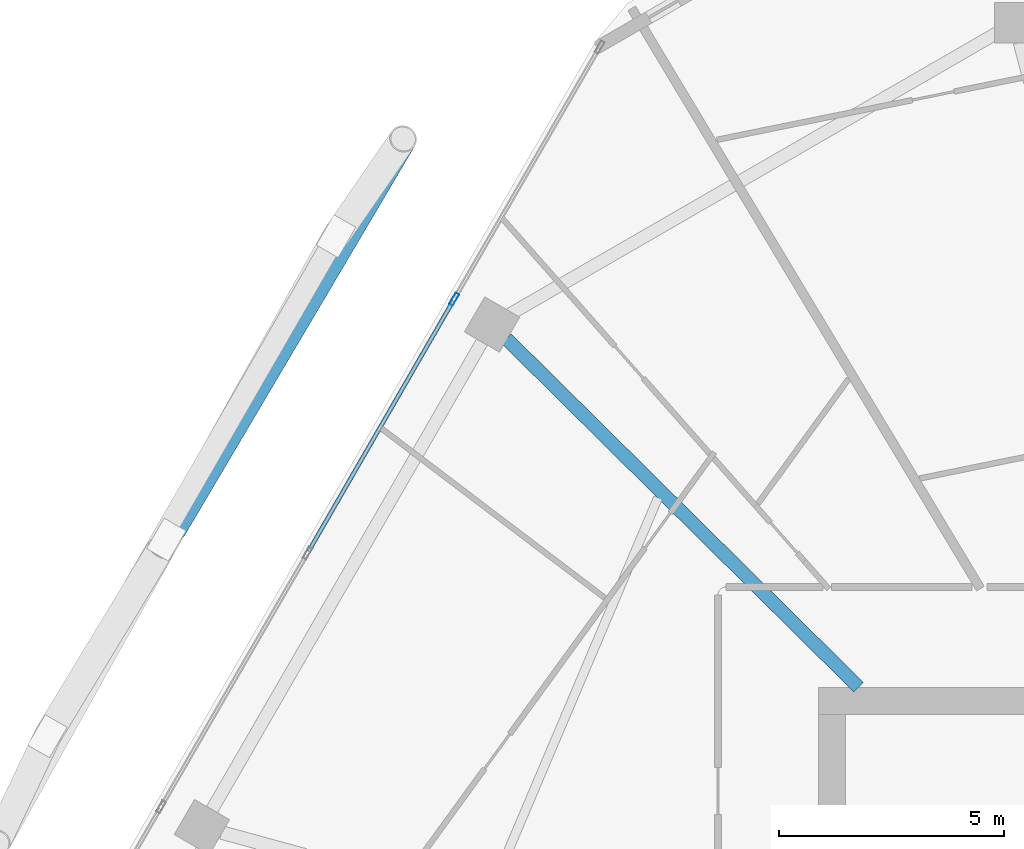
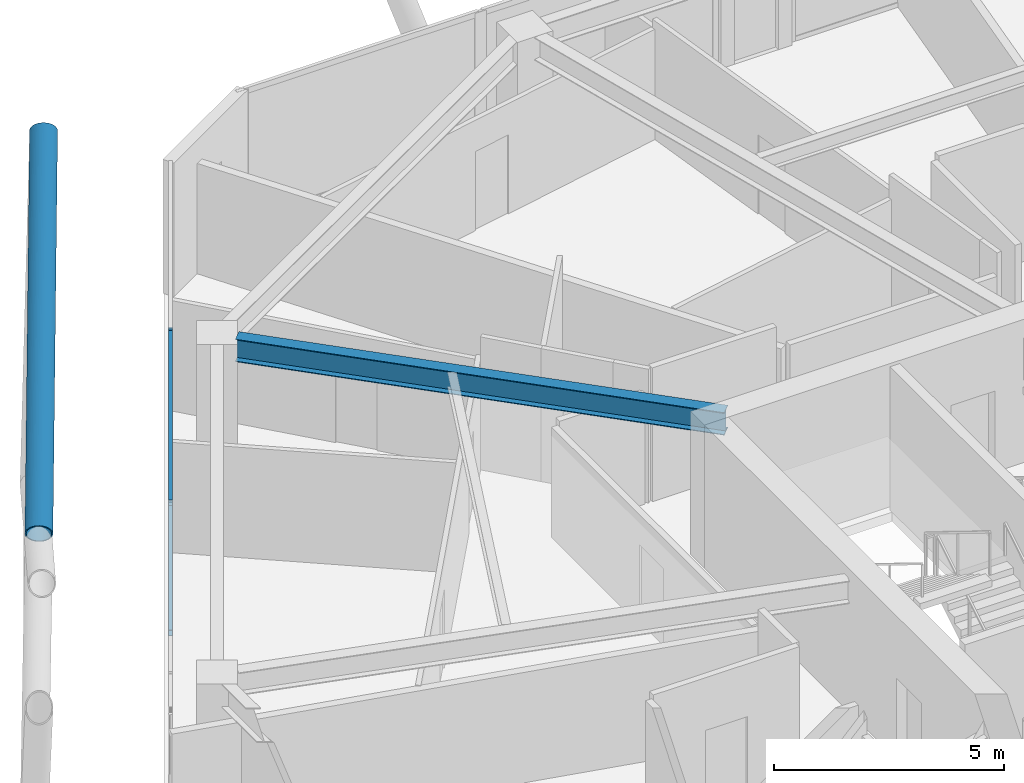
# One storey, part 13 of 28: 4 members, 1 beam, 1 element without a shape of its own.
"""IFC4 building model written with IfcOpenShell, lengths in metres."""

from ifc_helpers import new_model, si_unit, direction, frame, origin, origin_2d, place, context, subcontext, project, spatial, hollow_rectangle, hollow_circle, i_section, extrude, material, material_profile, profile_set, type_object, element, aggregate, save


model = new_model("IFC4")

# Units and contexts
model_context = context("Model", 3, precision=1e-05, world=origin(), true_north=direction((0.0, 1.0)))
body_context = subcontext(model_context, "Body", "Model", "MODEL_VIEW")
ifc_project = project(units=[si_unit("LENGTHUNIT", "METRE"), si_unit("AREAUNIT", "SQUARE_METRE"), si_unit("VOLUMEUNIT", "CUBIC_METRE"), si_unit("PLANEANGLEUNIT", "RADIAN"), si_unit("MASSUNIT", "GRAM", prefix="KILO")], contexts=[model_context])

# Site, building, storey
site_placement = place(None, origin())
site = spatial("IfcSite", under=ifc_project, at=site_placement, CompositionType="ELEMENT")
building_placement = place(site_placement, origin())
building = spatial("IfcBuilding", under=site, at=building_placement, Name="Zuhravey Tower", CompositionType="ELEMENT")
storey_placement = place(building_placement, frame((0.0, 0.0, 254.0)))
storey = spatial("IfcBuildingStorey", under=building, at=storey_placement, Name="L64", CompositionType="ELEMENT", Elevation=254.0)

# Curtain wall, members
ifc_material_1 = material(Name="Thermally broken anodised aluminium", Category="aluminium")
curtain_wall_type = type_object("IfcCurtainWallType", Name="Zone 3-4 High-Rise Curtain Wall CW4", PredefinedType="NOTDEFINED", material=ifc_material_1)
curtain_wall_placement = place(storey_placement, origin())
curtain_wall = element("IfcCurtainWall", 1, at=curtain_wall_placement, inside=storey, type_object=curtain_wall_type, Name="L64 CW4 CW-L64-F3-1", PredefinedType="NOTDEFINED")
ifc_material_2 = material(Name="Anodised aluminium", Category="aluminium")
ifc_material_profile_1 = material_profile(ifc_material_2, hollow_rectangle(XDim=0.090087890625, YDim=0.284912109375, WallThickness=0.0048828125, at=origin_2d()), Name="ALU-RHS-90x285x5")
ifc_profile_set_1 = profile_set([ifc_material_profile_1], Name="Anodised aluminium")
member_type_1 = type_object("IfcMemberType", Name="Curtain-Wall Mullion 90x180", PredefinedType="MULLION", material=ifc_profile_set_1)
member_1_placement = place(storey_placement, frame((17.114501953125, 50.41650390625, 0.0), z_axis=(0.0, 0.0, 1.0), x_axis=(-0.866024851021, 0.500000957414, 0.0)))
member_1 = element("IfcMember", 2, at=member_1_placement, type_object=member_type_1, Name="CW4 mullion 4", PredefinedType="MULLION", context=body_context, shape_type="SweptSolid", body=[
    extrude(hollow_rectangle(XDim=0.090087890625, YDim=0.284912109375, WallThickness=0.0048828125, at=origin_2d()), origin(), (0.0, 0.0, 1.0), 3.550048828125),
])
ifc_material_profile_2 = material_profile(ifc_material_2, hollow_rectangle(XDim=0.090087890625, YDim=0.14990234375, WallThickness=0.0048828125, at=origin_2d()), Name="ALU-RHS-90x150x5")
ifc_profile_set_2 = profile_set([ifc_material_profile_2], Name="Anodised aluminium")
member_type_2 = type_object("IfcMemberType", Name="Curtain-Wall Transom 90x150", PredefinedType="USERDEFINED", material=ifc_profile_set_2)
member_2_placement = place(storey_placement, frame((13.8837890625, 44.82080078125, 0.044921875), z_axis=(0.500014493347, 0.866017035885, 0.0), x_axis=(-0.866017035885, 0.500014493347, 0.0)))
member_2 = element("IfcMember", 3, at=member_2_placement, type_object=member_type_2, Name="CW4 transom 3.1", ObjectType="TRANSOM", PredefinedType="USERDEFINED", context=body_context, shape_type="SweptSolid", body=[
    extrude(hollow_rectangle(XDim=0.090087890625, YDim=0.14990234375, WallThickness=0.0048828125, at=origin_2d()), origin(), (0.0, 0.0, 1.0), 6.416259765625),
])
member_3_placement = place(storey_placement, frame((13.8837890625, 44.82080078125, 3.5048828125), z_axis=(0.500014493347, 0.866017035885, 0.0), x_axis=(-0.866017035885, 0.500014493347, 0.0)))
member_3 = element("IfcMember", 4, at=member_3_placement, type_object=member_type_2, Name="CW4 transom 3.2", ObjectType="TRANSOM", PredefinedType="USERDEFINED", context=body_context, shape_type="SweptSolid", body=[
    extrude(hollow_rectangle(XDim=0.090087890625, YDim=0.14990234375, WallThickness=0.0048828125, at=origin_2d()), origin(), (0.0, 0.0, 1.0), 6.416259765625),
])
aggregate(curtain_wall, [member_1, member_2, member_3])

# Member
ifc_material_3 = material(Name="Steel SM355", Category="steel")
ifc_material_profile_3 = material_profile(ifc_material_3, hollow_circle(Radius=0.3046875, WallThickness=0.028076171875, at=origin_2d()), Name="CHS-609.6x28")
ifc_profile_set_3 = profile_set([ifc_material_profile_3], Name="Steel SM355")
member_type_3 = type_object("IfcMemberType", Name="Exoskeleton Zone 3 Diagrid CHS610x28", PredefinedType="BRACE", material=ifc_profile_set_3)
member_4_placement = place(storey_placement, frame((10.86572265625, 45.317626953125, 3.437744140625), z_axis=(0.477536928905, 0.808070842645, 0.344934768904), x_axis=(-0.860907619444, 0.508761310226, 0.0)))
element("IfcMember", 5, at=member_4_placement, inside=storey, type_object=member_type_3, Name="L64 Face 3 Split Diagrid Brace 3B", PredefinedType="BRACE", context=body_context, shape_type="SweptSolid", body=[
    extrude(hollow_circle(Radius=0.3046875, WallThickness=0.028076171875, at=origin_2d()), origin(), (0.0, 0.0, 1.0), 10.680419921875),
])

# Beam
ifc_material_profile_4 = material_profile(ifc_material_3, i_section(OverallWidth=0.300048828125, OverallDepth=0.60009765625, WebThickness=0.011962890625, FlangeThickness=0.02001953125, at=origin_2d()), Name="H-600x300x12x20")
ifc_profile_set_4 = profile_set([ifc_material_profile_4], Name="Steel SM355")
beam_type = type_object("IfcBeamType", Name="Radial Primary Girder H600x300", PredefinedType="BEAM", material=ifc_profile_set_4)
beam_placement = place(storey_placement, frame((26.09326171875, 41.802978515625, 3.25), z_axis=(-0.710816516282, 0.703377480576, 0.0), x_axis=(-0.703377480576, -0.710816516282, 0.0)))
element("IfcBeam", 6, at=beam_placement, inside=storey, type_object=beam_type, Name="L64 RG3 BM-L64-RAD-05", PredefinedType="BEAM", context=body_context, shape_type="SweptSolid", body=[
    extrude(i_section(OverallWidth=0.300048828125, OverallDepth=0.60009765625, WebThickness=0.011962890625, FlangeThickness=0.02001953125, at=origin_2d()), origin(), (0.0, 0.0, 1.0), 10.994384765625),
])

save(model, "model.ifc")
